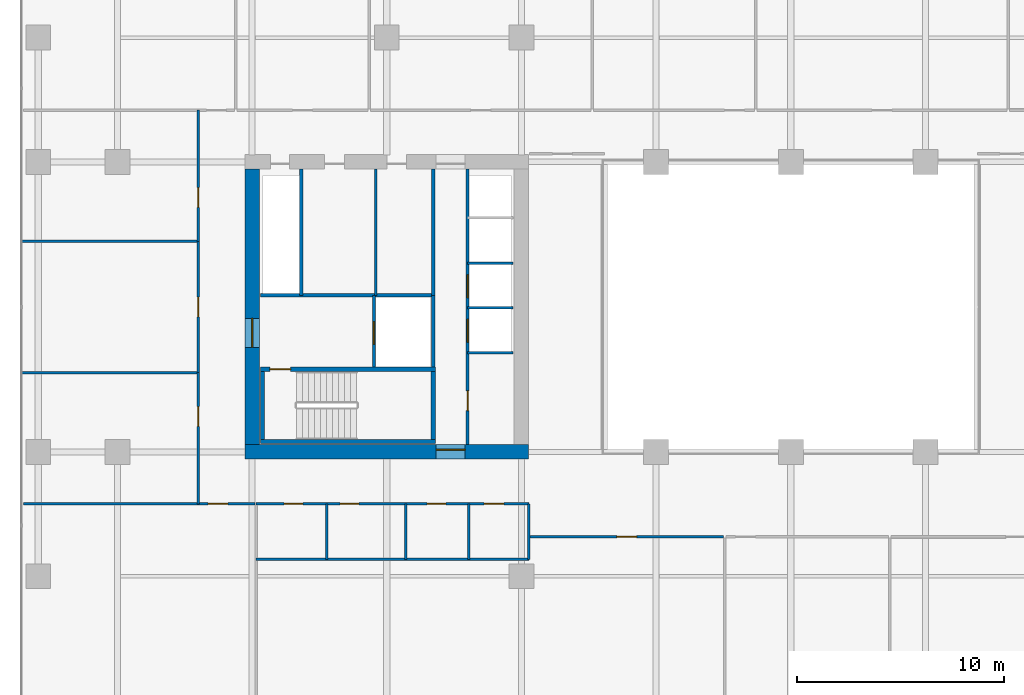
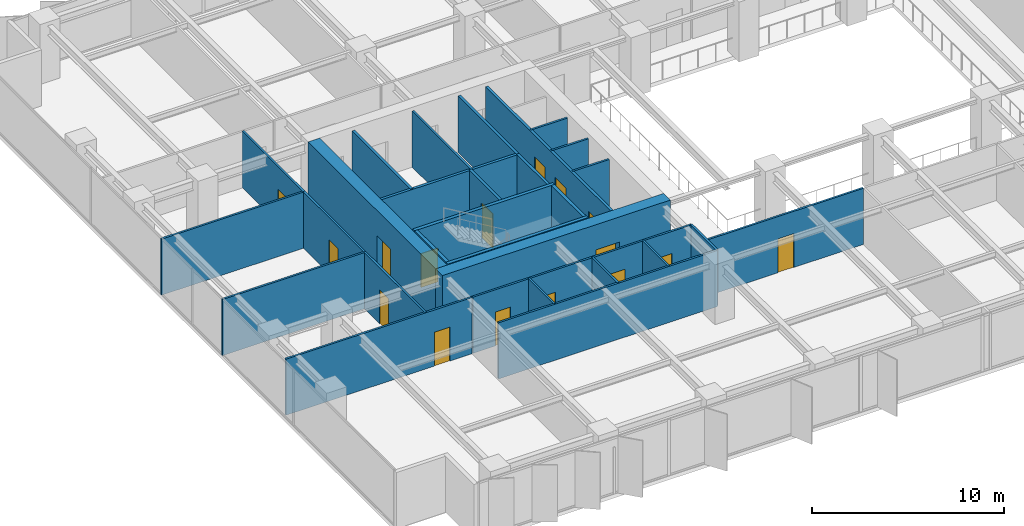
# One storey, part 13 of 20: 29 walls, 16 doors, 16 openings.
"""IFC4 building model written with IfcOpenShell, lengths in metres."""

from ifc_helpers import new_model, si_unit, direction, frame, frame_2d, origin, place, context, subcontext, project, spatial, rectangle, extrude, material, layer, layer_set, type_object, element, fill, save


model = new_model("IFC4")

# Units and contexts
model_context = context("Model", 3, precision=1e-05, world=origin(), true_north=direction((0.0, 1.0)))
body_context = subcontext(model_context, "Body", "Model", "MODEL_VIEW")
ifc_project = project(units=[si_unit("LENGTHUNIT", "METRE"), si_unit("AREAUNIT", "SQUARE_METRE"), si_unit("VOLUMEUNIT", "CUBIC_METRE"), si_unit("PLANEANGLEUNIT", "RADIAN"), si_unit("MASSUNIT", "GRAM", prefix="KILO")], contexts=[model_context])

# Site, building, storey
site_placement = place(None, origin())
site = spatial("IfcSite", under=ifc_project, at=site_placement, CompositionType="ELEMENT")
building_placement = place(site_placement, origin())
building = spatial("IfcBuilding", under=site, at=building_placement, Name="Putna Gate Headquarters", CompositionType="ELEMENT")
storey_placement = place(building_placement, frame((0.0, 0.0, 124.0)))
storey = spatial("IfcBuildingStorey", under=building, at=storey_placement, Name="L30", CompositionType="ELEMENT", Elevation=124.0)

# Wall, opening, door
ifc_material_1 = material(Name="Concrete C60/75", Category="concrete")
ifc_layer_1 = layer(ifc_material_1, 0.699951171875)
ifc_layer_set_1 = layer_set([ifc_layer_1], Name="Concrete C60/75")
wall_type_1 = type_object("IfcWallType", Name="WALL-CORE-700", PredefinedType="SHEAR", material=ifc_layer_set_1)
wall_1_placement = place(storey_placement, frame((12.64990234375, 19.0, 0.0), z_axis=(0.0, 0.0, 1.0), x_axis=(1.0, 0.0, 0.0)))
wall_1 = element("IfcWall", 1, at=wall_1_placement, inside=storey, type_object=wall_type_1, Name="L30 WC Split Core Shear Wall S", PredefinedType="SHEAR", context=body_context, shape_type="SweptSolid", body=[
    extrude(rectangle(XDim=13.7001953125, YDim=0.699951171875, at=frame_2d((6.85009765625, 0.0))), origin(), (0.0, 0.0, 1.0), 3.800048828125),
])
opening_1_placement = place(wall_1_placement, frame((9.22998046875, 0.0, 0.0)))
opening_1 = element("IfcOpeningElement", 2, at=opening_1_placement, cuts=wall_1, Name="Opening FDD-140", PredefinedType="OPENING", context=body_context, shape_type="SweptSolid", body=[
    extrude(rectangle(XDim=1.39990234375, YDim=2.199951171875, at=frame_2d((0.699951171875, 1.10009765625))), frame((0.0, 0.35986328125, 0.0), z_axis=(0.0, -1.0, 0.0), x_axis=(1.0, 0.0, 0.0)), (0.0, 0.0, 1.0), 0.719970703125),
])
ifc_material_2 = material(Name="Double steel fire door", Category="steel")
door_type_1 = type_object("IfcDoorType", Name="DOOR-FIRE-DBL-1400", OperationType="DOUBLE_DOOR_SINGLE_SWING", PredefinedType="DOOR", material=ifc_material_2)
door_1_placement = place(opening_1_placement, origin())
door_1 = element("IfcDoor", 3, at=door_1_placement, inside=storey, type_object=door_type_1, Name="L30 West Lift Lobby South Door", OperationType="DOUBLE_DOOR_SINGLE_SWING", OverallHeight=2.199951171875, OverallWidth=1.39990234375, PredefinedType="DOOR", context=body_context, shape_type="SweptSolid", body=[
    extrude(rectangle(XDim=1.39990234375, YDim=2.199951171875, at=frame_2d((0.699951171875, 1.10009765625))), frame((0.0, 0.125, 0.0), z_axis=(0.0, -1.0, 0.0), x_axis=(1.0, 0.0, 0.0)), (0.0, 0.0, 1.0), 0.050048828125),
])
fill(opening_1, door_1)

wall_2_placement = place(storey_placement, frame((13.0, 19.35009765625, 0.0), z_axis=(0.0, 0.0, 1.0), x_axis=(0.0, 1.0, 0.0)))
wall_2 = element("IfcWall", 4, at=wall_2_placement, inside=storey, type_object=wall_type_1, Name="L30 WC Split Core Shear Wall W", PredefinedType="SHEAR", context=body_context, shape_type="SweptSolid", body=[
    extrude(rectangle(XDim=13.2998046875, YDim=0.699951171875, at=frame_2d((6.64990234375, 0.0))), origin(), (0.0, 0.0, 1.0), 3.800048828125),
])
opening_2_placement = place(wall_2_placement, frame((4.699951171875, 0.0, 0.0)))
opening_2 = element("IfcOpeningElement", 5, at=opening_2_placement, cuts=wall_2, Name="Opening FDD-140", PredefinedType="OPENING", context=body_context, shape_type="SweptSolid", body=[
    extrude(rectangle(XDim=1.39990234375, YDim=2.199951171875, at=frame_2d((0.699951171875, 1.10009765625))), frame((0.0, 0.35986328125, 0.0), z_axis=(0.0, -1.0, 0.0), x_axis=(1.0, 0.0, 0.0)), (0.0, 0.0, 1.0), 0.719970703125),
])
door_2_placement = place(opening_2_placement, origin())
door_2 = element("IfcDoor", 6, at=door_2_placement, inside=storey, type_object=door_type_1, Name="L30 West Firefighting Lobby Door", OperationType="DOUBLE_DOOR_SINGLE_SWING", OverallHeight=2.199951171875, OverallWidth=1.39990234375, PredefinedType="DOOR", context=body_context, shape_type="SweptSolid", body=[
    extrude(rectangle(XDim=1.39990234375, YDim=2.199951171875, at=frame_2d((0.699951171875, 1.10009765625))), frame((0.0, 0.02490234375, 0.0), z_axis=(0.0, -1.0, 0.0), x_axis=(1.0, 0.0, 0.0)), (0.0, 0.0, 1.0), 0.050048828125),
])
fill(opening_2, door_2)

# Walls
ifc_material_3 = material(Name="Acoustic gypsum board on metal stud")
ifc_layer_2 = layer(ifc_material_3, 0.1201171875)
ifc_layer_set_2 = layer_set([ifc_layer_2], Name="Acoustic gypsum board on metal stud")
wall_type_2 = type_object("IfcWallType", Name="WALL-PART-120", PredefinedType="PARTITIONING", material=ifc_layer_set_2)
for number, where, z_axis, x_axis, name in (
    (7, (1.820068359375, 22.833251953125, 0.0), (0.0, 0.0, 1.0), (1.0, 0.0, 0.0), "L30 Interior Wall PART-L30-WW-DIV-1"),
    (8, (1.820068359375, 29.166748046875, 0.0), (0.0, 0.0, 1.0), (1.0, 0.0, 0.0), "L30 Interior Wall PART-L30-WW-DIV-2"),
):
    element("IfcWall", number, at=place(storey_placement, frame(where, z_axis=z_axis, x_axis=x_axis)), inside=storey, type_object=wall_type_2, Name=name, PredefinedType="PARTITIONING", context=body_context, shape_type="SweptSolid", body=[
        extrude(rectangle(XDim=8.579833984375, YDim=0.1201171875, at=frame_2d((4.2900390625, 0.0))), origin(), (0.0, 0.0, 1.0), 3.56494140625),
    ])
ifc_material_4 = material(Name="Fire-rated shaftwall gypsum board on metal stud")
ifc_layer_3 = layer(ifc_material_4, 0.1201171875)
ifc_layer_set_3 = layer_set([ifc_layer_3], Name="Fire-rated shaftwall gypsum board on metal stud")
wall_type_3 = type_object("IfcWallType", Name="WALL-PART-120-EI120", PredefinedType="PARTITIONING", material=ifc_layer_set_3)
for number, where, z_axis, x_axis, name in (
    (9, (23.39990234375, 25.949951171875, 0.0), (0.0, 0.0, 1.0), (1.0, 0.0, 0.0), "L30 Interior Wall CWINT-L30-WC-LF05-DIV"),
    (10, (23.39990234375, 28.1201171875, 0.0), (0.0, 0.0, 1.0), (1.0, 0.0, 0.0), "L30 Interior Wall CWINT-L30-WC-LF06-DIV"),
):
    element("IfcWall", number, at=place(storey_placement, frame(where, z_axis=z_axis, x_axis=x_axis)), inside=storey, type_object=wall_type_3, Name=name, PredefinedType="PARTITIONING", context=body_context, shape_type="SweptSolid", body=[
        extrude(rectangle(XDim=2.2001953125, YDim=0.1201171875, at=frame_2d((1.10009765625, 0.0))), origin(), (0.0, 0.0, 1.0), 3.56494140625),
    ])
ifc_material_5 = material(Name="Fire-rated gypsum board on metal stud")
ifc_layer_4 = layer(ifc_material_5, 0.1201171875)
ifc_layer_set_4 = layer_set([ifc_layer_4], Name="Fire-rated gypsum board on metal stud")
wall_type_4 = type_object("IfcWallType", Name="WALL-PART-120-RATED", PredefinedType="PARTITIONING", material=ifc_layer_set_4)
wall_3_placement = place(storey_placement, frame((18.969970703125, 26.56005859375, 0.0), z_axis=(0.0, 0.0, 1.0), x_axis=(0.0, 1.0, 0.0)))
element("IfcWall", 11, at=wall_3_placement, inside=storey, type_object=wall_type_4, Name="L30 Interior Wall CWINT-L30-WC-K0-DIV", PredefinedType="PARTITIONING", context=body_context, shape_type="SweptSolid", body=[
    extrude(rectangle(XDim=6.08984375, YDim=0.1201171875, at=frame_2d((3.044921875, 0.0))), origin(), (0.0, 0.0, 1.0), 3.56494140625),
])
wall_4_placement = place(storey_placement, frame((23.39990234375, 23.780029296875, 0.0), z_axis=(0.0, 0.0, 1.0), x_axis=(1.0, 0.0, 0.0)))
element("IfcWall", 12, at=wall_4_placement, inside=storey, type_object=wall_type_4, Name="L30 Interior Wall CWINT-L30-WC-LF02-DIV", PredefinedType="PARTITIONING", context=body_context, shape_type="SweptSolid", body=[
    extrude(rectangle(XDim=2.2001953125, YDim=0.1201171875, at=frame_2d((1.10009765625, 0.0))), origin(), (0.0, 0.0, 1.0), 3.56494140625),
])

# Wall, openings, doors
wall_5_placement = place(storey_placement, frame((13.199951171875, 16.5, 0.0), z_axis=(0.0, 0.0, 1.0), x_axis=(1.0, 0.0, 0.0)))
wall_5 = element("IfcWall", 13, at=wall_5_placement, inside=storey, type_object=wall_type_4, Name="L30 Interior Wall PART-L30-SAN-CW", PredefinedType="PARTITIONING", context=body_context, shape_type="SweptSolid", body=[
    extrude(rectangle(XDim=13.16015625, YDim=0.1201171875, at=frame_2d((6.580078125, 0.0))), origin(), (0.0, 0.0, 1.0), 3.56494140625),
])
opening_3_placement = place(wall_5_placement, frame((1.35009765625, 0.0, 0.0)))
opening_3 = element("IfcOpeningElement", 14, at=opening_3_placement, cuts=wall_5, Name="Opening FD-90", PredefinedType="OPENING", context=body_context, shape_type="SweptSolid", body=[
    extrude(rectangle(XDim=0.89990234375, YDim=2.14990234375, at=frame_2d((0.449951171875, 1.074951171875))), frame((0.0, 0.070068359375, 0.0), z_axis=(0.0, -1.0, 0.0), x_axis=(1.0, 0.0, 0.0)), (0.0, 0.0, 1.0), 0.14013671875),
])
opening_4_placement = place(wall_5_placement, frame((4.050048828125, 0.0, 0.0)))
opening_4 = element("IfcOpeningElement", 15, at=opening_4_placement, cuts=wall_5, Name="Opening FD-90", PredefinedType="OPENING", context=body_context, shape_type="SweptSolid", body=[
    extrude(rectangle(XDim=0.89990234375, YDim=2.14990234375, at=frame_2d((0.449951171875, 1.074951171875))), frame((0.0, 0.070068359375, 0.0), z_axis=(0.0, -1.0, 0.0), x_axis=(1.0, 0.0, 0.0)), (0.0, 0.0, 1.0), 0.14013671875),
])
opening_5_placement = place(wall_5_placement, frame((8.25, 0.0, 0.0)))
opening_5 = element("IfcOpeningElement", 16, at=opening_5_placement, cuts=wall_5, Name="Opening FD-90", PredefinedType="OPENING", context=body_context, shape_type="SweptSolid", body=[
    extrude(rectangle(XDim=0.89990234375, YDim=2.14990234375, at=frame_2d((0.449951171875, 1.074951171875))), frame((0.0, 0.070068359375, 0.0), z_axis=(0.0, -1.0, 0.0), x_axis=(1.0, 0.0, 0.0)), (0.0, 0.0, 1.0), 0.14013671875),
])
opening_6_placement = place(wall_5_placement, frame((11.0, 0.0, 0.0)))
opening_6 = element("IfcOpeningElement", 17, at=opening_6_placement, cuts=wall_5, Name="Opening FD-95", PredefinedType="OPENING", context=body_context, shape_type="SweptSolid", body=[
    extrude(rectangle(XDim=0.949951171875, YDim=2.14990234375, at=frame_2d((0.47509765625, 1.074951171875))), frame((0.0, 0.070068359375, 0.0), z_axis=(0.0, -1.0, 0.0), x_axis=(1.0, 0.0, 0.0)), (0.0, 0.0, 1.0), 0.14013671875),
])
ifc_material_6 = material(Name="Acoustic washroom fire door")
door_type_2 = type_object("IfcDoorType", Name="DOOR-FIRE-900", OperationType="NOTDEFINED", PredefinedType="DOOR", material=ifc_material_6)
door_3_placement = place(opening_3_placement, origin())
door_3 = element("IfcDoor", 18, at=door_3_placement, inside=storey, type_object=door_type_2, Name="L30 Washroom Male Door", OperationType="SINGLE_SWING_LEFT", OverallHeight=2.14990234375, OverallWidth=0.89990234375, PredefinedType="DOOR", context=body_context, shape_type="SweptSolid", body=[
    extrude(rectangle(XDim=0.89990234375, YDim=2.14990234375, at=frame_2d((0.449951171875, 1.074951171875))), frame((0.0, 0.02490234375, 0.0), z_axis=(0.0, -1.0, 0.0), x_axis=(1.0, 0.0, 0.0)), (0.0, 0.0, 1.0), 0.050048828125),
])
fill(opening_3, door_3)
door_4_placement = place(opening_4_placement, origin())
door_4 = element("IfcDoor", 19, at=door_4_placement, inside=storey, type_object=door_type_2, Name="L30 Washroom Female Door", OperationType="SINGLE_SWING_RIGHT", OverallHeight=2.14990234375, OverallWidth=0.89990234375, PredefinedType="DOOR", context=body_context, shape_type="SweptSolid", body=[
    extrude(rectangle(XDim=0.89990234375, YDim=2.14990234375, at=frame_2d((0.449951171875, 1.074951171875))), frame((0.0, 0.02490234375, 0.0), z_axis=(0.0, -1.0, 0.0), x_axis=(1.0, 0.0, 0.0)), (0.0, 0.0, 1.0), 0.050048828125),
])
fill(opening_4, door_4)
door_5_placement = place(opening_5_placement, origin())
door_5 = element("IfcDoor", 20, at=door_5_placement, inside=storey, type_object=door_type_2, Name="L30 Accessible WC Door", OperationType="SINGLE_SWING_LEFT", OverallHeight=2.14990234375, OverallWidth=0.89990234375, PredefinedType="DOOR", context=body_context, shape_type="SweptSolid", body=[
    extrude(rectangle(XDim=0.89990234375, YDim=2.14990234375, at=frame_2d((0.449951171875, 1.074951171875))), frame((0.0, 0.02490234375, 0.0), z_axis=(0.0, -1.0, 0.0), x_axis=(1.0, 0.0, 0.0)), (0.0, 0.0, 1.0), 0.050048828125),
])
fill(opening_5, door_5)
ifc_material_7 = material(Name="Acoustic timber fire door", Category="wood")
door_type_3 = type_object("IfcDoorType", Name="DOOR-FIRE-950", OperationType="NOTDEFINED", PredefinedType="DOOR", material=ifc_material_7)
door_6_placement = place(opening_6_placement, origin())
door_6 = element("IfcDoor", 21, at=door_6_placement, inside=storey, type_object=door_type_3, Name="L30 Staff Pantry and Tea Point Door", OperationType="SINGLE_SWING_RIGHT", OverallHeight=2.14990234375, OverallWidth=0.949951171875, PredefinedType="DOOR", context=body_context, shape_type="SweptSolid", body=[
    extrude(rectangle(XDim=0.949951171875, YDim=2.14990234375, at=frame_2d((0.47509765625, 1.074951171875))), frame((0.0, 0.02490234375, 0.0), z_axis=(0.0, -1.0, 0.0), x_axis=(1.0, 0.0, 0.0)), (0.0, 0.0, 1.0), 0.050048828125),
])
fill(opening_6, door_6)

# Walls
wall_6_placement = place(storey_placement, frame((13.199951171875, 13.820068359375, 0.0), z_axis=(0.0, 0.0, 1.0), x_axis=(1.0, 0.0, 0.0)))
element("IfcWall", 22, at=wall_6_placement, inside=storey, type_object=wall_type_4, Name="L30 Interior Wall PART-L30-SAN-BACK", PredefinedType="PARTITIONING", context=body_context, shape_type="SweptSolid", body=[
    extrude(rectangle(XDim=13.16015625, YDim=0.1201171875, at=frame_2d((6.580078125, 0.0))), origin(), (0.0, 0.0, 1.0), 3.56494140625),
])
for number, where, z_axis, x_axis, name in (
    (23, (16.60009765625, 13.820068359375, 0.0), (0.0, 0.0, 1.0), (0.0, 1.0, 0.0), "L30 Interior Wall PART-L30-SAN-DIV-1"),
    (24, (20.419921875, 13.820068359375, 0.0), (0.0, 0.0, 1.0), (0.0, 1.0, 0.0), "L30 Interior Wall PART-L30-SAN-DIV-2"),
    (25, (23.4599609375, 13.820068359375, 0.0), (0.0, 0.0, 1.0), (0.0, 1.0, 0.0), "L30 Interior Wall PART-L30-SAN-DIV-3"),
    (26, (26.360107421875, 13.820068359375, 0.0), (0.0, 0.0, 1.0), (0.0, 1.0, 0.0), "L30 Interior Wall PART-L30-SAN-DIV-4"),
):
    element("IfcWall", number, at=place(storey_placement, frame(where, z_axis=z_axis, x_axis=x_axis)), inside=storey, type_object=wall_type_4, Name=name, PredefinedType="PARTITIONING", context=body_context, shape_type="SweptSolid", body=[
        extrude(rectangle(XDim=2.679931640625, YDim=0.1201171875, at=frame_2d((1.33984375, 0.0))), origin(), (0.0, 0.0, 1.0), 3.56494140625),
    ])

# Wall, opening, door
wall_7_placement = place(storey_placement, frame((1.97998046875, 16.5, 0.0), z_axis=(0.0, 0.0, 1.0), x_axis=(1.0, 0.0, 0.0)))
wall_7 = element("IfcWall", 27, at=wall_7_placement, inside=storey, type_object=wall_type_4, Name="L30 Interior Wall PART-L30-SB-CW-01", PredefinedType="PARTITIONING", context=body_context, shape_type="SweptSolid", body=[
    extrude(rectangle(XDim=11.159912109375, YDim=0.1201171875, at=frame_2d((5.580078125, 0.0))), origin(), (0.0, 0.0, 1.0), 3.56494140625),
])
opening_7_placement = place(wall_7_placement, frame((8.89990234375, 0.0, 0.0)))
opening_7 = element("IfcOpeningElement", 28, at=opening_7_placement, cuts=wall_7, Name="Opening FD-95", PredefinedType="OPENING", context=body_context, shape_type="SweptSolid", body=[
    extrude(rectangle(XDim=0.949951171875, YDim=2.14990234375, at=frame_2d((0.47509765625, 1.074951171875))), frame((0.0, 0.070068359375, 0.0), z_axis=(0.0, -1.0, 0.0), x_axis=(1.0, 0.0, 0.0)), (0.0, 0.0, 1.0), 0.14013671875),
])
door_7_placement = place(opening_7_placement, origin())
door_7 = element("IfcDoor", 29, at=door_7_placement, inside=storey, type_object=door_type_3, Name="L30 Cellular Office 1 Door", OperationType="SINGLE_SWING_LEFT", OverallHeight=2.14990234375, OverallWidth=0.949951171875, PredefinedType="DOOR", context=body_context, shape_type="SweptSolid", body=[
    extrude(rectangle(XDim=0.949951171875, YDim=2.14990234375, at=frame_2d((0.47509765625, 1.074951171875))), frame((0.0, 0.02490234375, 0.0), z_axis=(0.0, -1.0, 0.0), x_axis=(1.0, 0.0, 0.0)), (0.0, 0.0, 1.0), 0.050048828125),
])
fill(opening_7, door_7)

wall_8_placement = place(storey_placement, frame((26.419921875, 14.89990234375, 0.0), z_axis=(0.0, 0.0, 1.0), x_axis=(1.0, 0.0, 0.0)))
wall_8 = element("IfcWall", 30, at=wall_8_placement, inside=storey, type_object=wall_type_4, Name="L30 Interior Wall PART-L30-SB-CW-02", PredefinedType="PARTITIONING", context=body_context, shape_type="SweptSolid", body=[
    extrude(rectangle(XDim=9.320068359375, YDim=0.1201171875, at=frame_2d((4.66015625, 0.0))), origin(), (0.0, 0.0, 1.0), 3.56494140625),
])
opening_8_placement = place(wall_8_placement, frame((4.18505859375, 0.0, 0.0)))
opening_8 = element("IfcOpeningElement", 31, at=opening_8_placement, cuts=wall_8, Name="Opening FD-95", PredefinedType="OPENING", context=body_context, shape_type="SweptSolid", body=[
    extrude(rectangle(XDim=0.949951171875, YDim=2.14990234375, at=frame_2d((0.47509765625, 1.074951171875))), frame((0.0, 0.070068359375, 0.0), z_axis=(0.0, -1.0, 0.0), x_axis=(1.0, 0.0, 0.0)), (0.0, 0.0, 1.0), 0.14013671875),
])
door_8_placement = place(opening_8_placement, origin())
door_8 = element("IfcDoor", 32, at=door_8_placement, inside=storey, type_object=door_type_3, Name="L30 Primary Open Office Workplace Door", OperationType="SINGLE_SWING_RIGHT", OverallHeight=2.14990234375, OverallWidth=0.949951171875, PredefinedType="DOOR", context=body_context, shape_type="SweptSolid", body=[
    extrude(rectangle(XDim=0.949951171875, YDim=2.14990234375, at=frame_2d((0.47509765625, 1.074951171875))), frame((0.0, 0.02490234375, 0.0), z_axis=(0.0, -1.0, 0.0), x_axis=(1.0, 0.0, 0.0)), (0.0, 0.0, 1.0), 0.050048828125),
])
fill(opening_8, door_8)

wall_9_placement = place(storey_placement, frame((10.39990234375, 16.5, 0.0), z_axis=(0.0, 0.0, 1.0), x_axis=(0.0, 1.0, 0.0)))
wall_9 = element("IfcWall", 33, at=wall_9_placement, inside=storey, type_object=wall_type_4, Name="L30 Interior Wall PART-L30-WW-CW-1", PredefinedType="PARTITIONING", context=body_context, shape_type="SweptSolid", body=[
    extrude(rectangle(XDim=6.333251953125, YDim=0.1201171875, at=frame_2d((3.16650390625, 0.0))), origin(), (0.0, 0.0, 1.0), 3.56494140625),
])
opening_9_placement = place(wall_9_placement, frame((3.74169921875, 0.0, 0.0)))
opening_9 = element("IfcOpeningElement", 34, at=opening_9_placement, cuts=wall_9, Name="Opening FD-95", PredefinedType="OPENING", context=body_context, shape_type="SweptSolid", body=[
    extrude(rectangle(XDim=0.949951171875, YDim=2.14990234375, at=frame_2d((0.47509765625, 1.074951171875))), frame((0.0, 0.070068359375, 0.0), z_axis=(0.0, -1.0, 0.0), x_axis=(1.0, 0.0, 0.0)), (0.0, 0.0, 1.0), 0.14013671875),
])
door_9_placement = place(opening_9_placement, origin())
door_9 = element("IfcDoor", 35, at=door_9_placement, inside=storey, type_object=door_type_3, Name="L30 West Project Meeting Room 1 Door", OperationType="SINGLE_SWING_LEFT", OverallHeight=2.14990234375, OverallWidth=0.949951171875, PredefinedType="DOOR", context=body_context, shape_type="SweptSolid", body=[
    extrude(rectangle(XDim=0.949951171875, YDim=2.14990234375, at=frame_2d((0.47509765625, 1.074951171875))), frame((0.0, 0.02490234375, 0.0), z_axis=(0.0, -1.0, 0.0), x_axis=(1.0, 0.0, 0.0)), (0.0, 0.0, 1.0), 0.050048828125),
])
fill(opening_9, door_9)

wall_10_placement = place(storey_placement, frame((10.39990234375, 22.833251953125, 0.0), z_axis=(0.0, 0.0, 1.0), x_axis=(0.0, 1.0, 0.0)))
wall_10 = element("IfcWall", 36, at=wall_10_placement, inside=storey, type_object=wall_type_4, Name="L30 Interior Wall PART-L30-WW-CW-2", PredefinedType="PARTITIONING", context=body_context, shape_type="SweptSolid", body=[
    extrude(rectangle(XDim=6.33349609375, YDim=0.1201171875, at=frame_2d((3.166748046875, 0.0))), origin(), (0.0, 0.0, 1.0), 3.56494140625),
])
opening_10_placement = place(wall_10_placement, frame((2.691650390625, 0.0, 0.0)))
opening_10 = element("IfcOpeningElement", 37, at=opening_10_placement, cuts=wall_10, Name="Opening FD-95", PredefinedType="OPENING", context=body_context, shape_type="SweptSolid", body=[
    extrude(rectangle(XDim=0.949951171875, YDim=2.14990234375, at=frame_2d((0.47509765625, 1.074951171875))), frame((0.0, 0.070068359375, 0.0), z_axis=(0.0, -1.0, 0.0), x_axis=(1.0, 0.0, 0.0)), (0.0, 0.0, 1.0), 0.14013671875),
])
door_10_placement = place(opening_10_placement, origin())
door_10 = element("IfcDoor", 38, at=door_10_placement, inside=storey, type_object=door_type_3, Name="L30 West Project Meeting Room 2 Door", OperationType="SINGLE_SWING_RIGHT", OverallHeight=2.14990234375, OverallWidth=0.949951171875, PredefinedType="DOOR", context=body_context, shape_type="SweptSolid", body=[
    extrude(rectangle(XDim=0.949951171875, YDim=2.14990234375, at=frame_2d((0.47509765625, 1.074951171875))), frame((0.0, 0.02490234375, 0.0), z_axis=(0.0, -1.0, 0.0), x_axis=(1.0, 0.0, 0.0)), (0.0, 0.0, 1.0), 0.050048828125),
])
fill(opening_10, door_10)

wall_11_placement = place(storey_placement, frame((10.39990234375, 29.166748046875, 0.0), z_axis=(0.0, 0.0, 1.0), x_axis=(0.0, 1.0, 0.0)))
wall_11 = element("IfcWall", 39, at=wall_11_placement, inside=storey, type_object=wall_type_4, Name="L30 Interior Wall PART-L30-WW-CW-3", PredefinedType="PARTITIONING", context=body_context, shape_type="SweptSolid", body=[
    extrude(rectangle(XDim=6.333251953125, YDim=0.1201171875, at=frame_2d((3.16650390625, 0.0))), origin(), (0.0, 0.0, 1.0), 3.56494140625),
])
opening_11_placement = place(wall_11_placement, frame((1.6416015625, 0.0, 0.0)))
opening_11 = element("IfcOpeningElement", 40, at=opening_11_placement, cuts=wall_11, Name="Opening FD-95", PredefinedType="OPENING", context=body_context, shape_type="SweptSolid", body=[
    extrude(rectangle(XDim=0.949951171875, YDim=2.14990234375, at=frame_2d((0.47509765625, 1.074951171875))), frame((0.0, 0.070068359375, 0.0), z_axis=(0.0, -1.0, 0.0), x_axis=(1.0, 0.0, 0.0)), (0.0, 0.0, 1.0), 0.14013671875),
])
door_11_placement = place(opening_11_placement, origin())
door_11 = element("IfcDoor", 41, at=door_11_placement, inside=storey, type_object=door_type_3, Name="L30 West Project Meeting Room 3 Door", OperationType="SINGLE_SWING_LEFT", OverallHeight=2.14990234375, OverallWidth=0.949951171875, PredefinedType="DOOR", context=body_context, shape_type="SweptSolid", body=[
    extrude(rectangle(XDim=0.949951171875, YDim=2.14990234375, at=frame_2d((0.47509765625, 1.074951171875))), frame((0.0, 0.02490234375, 0.0), z_axis=(0.0, -1.0, 0.0), x_axis=(1.0, 0.0, 0.0)), (0.0, 0.0, 1.0), 0.050048828125),
])
fill(opening_11, door_11)

# Wall
ifc_material_8 = material(Name="Concrete C40/50", Category="concrete")
ifc_layer_5 = layer(ifc_material_8, 0.159912109375)
ifc_layer_set_5 = layer_set([ifc_layer_5], Name="Concrete C40/50")
wall_type_5 = type_object("IfcWallType", Name="WALL-SHAFT-160", PredefinedType="STANDARD", material=ifc_layer_set_5)
wall_12_placement = place(storey_placement, frame((21.739990234375, 23.090087890625, 0.0), z_axis=(0.0, 0.0, 1.0), x_axis=(0.0, 1.0, 0.0)))
element("IfcWall", 42, at=wall_12_placement, inside=storey, type_object=wall_type_5, Name="L30 Interior Wall CWINT-L30-WC-FFL-E", PredefinedType="STANDARD", context=body_context, shape_type="SweptSolid", body=[
    extrude(rectangle(XDim=3.469970703125, YDim=0.159912109375, at=frame_2d((1.73486328125, 0.0))), origin(), (0.0, 0.0, 1.0), 3.56494140625),
])

# Wall, opening, door
wall_13_placement = place(storey_placement, frame((18.8798828125, 23.090087890625, 0.0), z_axis=(0.0, 0.0, 1.0), x_axis=(0.0, 1.0, 0.0)))
wall_13 = element("IfcWall", 43, at=wall_13_placement, inside=storey, type_object=wall_type_5, Name="L30 Interior Wall CWINT-L30-WC-LF13-W", PredefinedType="STANDARD", context=body_context, shape_type="SweptSolid", body=[
    extrude(rectangle(XDim=3.469970703125, YDim=0.159912109375, at=frame_2d((1.73486328125, 0.0))), origin(), (0.0, 0.0, 1.0), 3.56494140625),
])
opening_12_placement = place(wall_13_placement, frame((1.10009765625, 0.0, 0.0)))
opening_12 = element("IfcOpeningElement", 44, at=opening_12_placement, cuts=wall_13, Name="Opening LD-1", PredefinedType="OPENING", context=body_context, shape_type="SweptSolid", body=[
    extrude(rectangle(XDim=1.10009765625, YDim=2.199951171875, at=frame_2d((0.550048828125, 1.10009765625))), frame((0.0, 0.08984375, 0.0), z_axis=(0.0, -1.0, 0.0), x_axis=(1.0, 0.0, 0.0)), (0.0, 0.0, 1.0), 0.179931640625),
])
ifc_material_9 = material(Name="Brushed bronze stainless lift landing door")
door_type_4 = type_object("IfcDoorType", Name="DOOR-LIFT-1100", OperationType="DOUBLE_DOOR_SLIDING", PredefinedType="DOOR", material=ifc_material_9)
door_12_placement = place(opening_12_placement, origin())
door_12 = element("IfcDoor", 45, at=door_12_placement, inside=storey, type_object=door_type_4, Name="L30 Lift Landing Door LD-13", OperationType="DOUBLE_DOOR_SLIDING", OverallHeight=2.199951171875, OverallWidth=1.10009765625, PredefinedType="DOOR", context=body_context, shape_type="SweptSolid", body=[
    extrude(rectangle(XDim=1.10009765625, YDim=2.199951171875, at=frame_2d((0.550048828125, 1.10009765625))), frame((0.0, 0.02490234375, 0.0), z_axis=(0.0, -1.0, 0.0), x_axis=(1.0, 0.0, 0.0)), (0.0, 0.0, 1.0), 0.050048828125),
])
fill(opening_12, door_12)

# Walls
wall_14_placement = place(storey_placement, frame((13.39990234375, 26.56005859375, 0.0), z_axis=(0.0, 0.0, 1.0), x_axis=(1.0, 0.0, 0.0)))
element("IfcWall", 46, at=wall_14_placement, inside=storey, type_object=wall_type_5, Name="L30 Interior Wall CWINT-L30-WC-FFL-N", PredefinedType="STANDARD", context=body_context, shape_type="SweptSolid", body=[
    extrude(rectangle(XDim=8.340087890625, YDim=0.159912109375, at=frame_2d((4.169921875, 0.0))), origin(), (0.0, 0.0, 1.0), 3.56494140625),
])
for number, where, z_axis, x_axis, name in (
    (47, (15.3798828125, 26.56005859375, 0.0), (0.0, 0.0, 1.0), (0.0, 1.0, 0.0), "L30 Interior Wall CWINT-L30-WC-RISER-E"),
    (48, (21.739990234375, 26.56005859375, 0.0), (0.0, 0.0, 1.0), (0.0, 1.0, 0.0), "L30 Interior Wall CWINT-L30-WC-LOB-W"),
):
    element("IfcWall", number, at=place(storey_placement, frame(where, z_axis=z_axis, x_axis=x_axis)), inside=storey, type_object=wall_type_5, Name=name, PredefinedType="STANDARD", context=body_context, shape_type="SweptSolid", body=[
        extrude(rectangle(XDim=6.08984375, YDim=0.159912109375, at=frame_2d((3.044921875, 0.0))), origin(), (0.0, 0.0, 1.0), 3.56494140625),
    ])

# Wall, openings, doors
wall_15_placement = place(storey_placement, frame((23.39990234375, 19.35009765625, 0.0), z_axis=(0.0, 0.0, 1.0), x_axis=(0.0, 1.0, 0.0)))
wall_15 = element("IfcWall", 49, at=wall_15_placement, inside=storey, type_object=wall_type_5, Name="L30 Interior Wall CWINT-L30-WC-PL-WALL", PredefinedType="STANDARD", context=body_context, shape_type="SweptSolid", body=[
    extrude(rectangle(XDim=13.2998046875, YDim=0.159912109375, at=frame_2d((6.64990234375, 0.0))), origin(), (0.0, 0.0, 1.0), 3.56494140625),
])
opening_13_placement = place(wall_15_placement, frame((1.64990234375, 0.0, 0.0)))
opening_13 = element("IfcOpeningElement", 50, at=opening_13_placement, cuts=wall_15, Name="Opening IDS-95", PredefinedType="OPENING", context=body_context, shape_type="SweptSolid", body=[
    extrude(rectangle(XDim=0.949951171875, YDim=2.14990234375, at=frame_2d((0.47509765625, 1.074951171875))), frame((0.0, 0.08984375, 0.0), z_axis=(0.0, -1.0, 0.0), x_axis=(1.0, 0.0, 0.0)), (0.0, 0.0, 1.0), 0.179931640625),
])
opening_14_placement = place(wall_15_placement, frame((4.949951171875, 0.0, 0.0)))
opening_14 = element("IfcOpeningElement", 51, at=opening_14_placement, cuts=wall_15, Name="Opening LD-1", PredefinedType="OPENING", context=body_context, shape_type="SweptSolid", body=[
    extrude(rectangle(XDim=1.10009765625, YDim=2.199951171875, at=frame_2d((0.550048828125, 1.10009765625))), frame((0.0, 0.08984375, 0.0), z_axis=(0.0, -1.0, 0.0), x_axis=(1.0, 0.0, 0.0)), (0.0, 0.0, 1.0), 0.179931640625),
])
opening_15_placement = place(wall_15_placement, frame((7.10009765625, 0.0, 0.0)))
opening_15 = element("IfcOpeningElement", 52, at=opening_15_placement, cuts=wall_15, Name="Opening LD-1", PredefinedType="OPENING", context=body_context, shape_type="SweptSolid", body=[
    extrude(rectangle(XDim=1.10009765625, YDim=2.199951171875, at=frame_2d((0.550048828125, 1.10009765625))), frame((0.0, 0.08984375, 0.0), z_axis=(0.0, -1.0, 0.0), x_axis=(1.0, 0.0, 0.0)), (0.0, 0.0, 1.0), 0.179931640625),
])
ifc_material_10 = material(Name="Fire-rated service timber door", Category="wood")
door_type_5 = type_object("IfcDoorType", Name="DOOR-INT-950", OperationType="NOTDEFINED", PredefinedType="DOOR", material=ifc_material_10)
door_13_placement = place(opening_13_placement, origin())
door_13 = element("IfcDoor", 53, at=door_13_placement, inside=storey, type_object=door_type_5, Name="L30 Document Archive Door", OperationType="SINGLE_SWING_LEFT", OverallHeight=2.14990234375, OverallWidth=0.949951171875, PredefinedType="DOOR", context=body_context, shape_type="SweptSolid", body=[
    extrude(rectangle(XDim=0.949951171875, YDim=2.14990234375, at=frame_2d((0.47509765625, 1.074951171875))), frame((0.0, 0.02490234375, 0.0), z_axis=(0.0, -1.0, 0.0), x_axis=(1.0, 0.0, 0.0)), (0.0, 0.0, 1.0), 0.050048828125),
])
fill(opening_13, door_13)
door_14_placement = place(opening_14_placement, origin())
door_14 = element("IfcDoor", 54, at=door_14_placement, inside=storey, type_object=door_type_4, Name="L30 Lift Landing Door LD-05", OperationType="DOUBLE_DOOR_SLIDING", OverallHeight=2.199951171875, OverallWidth=1.10009765625, PredefinedType="DOOR", context=body_context, shape_type="SweptSolid", body=[
    extrude(rectangle(XDim=1.10009765625, YDim=2.199951171875, at=frame_2d((0.550048828125, 1.10009765625))), frame((0.0, 0.02490234375, 0.0), z_axis=(0.0, -1.0, 0.0), x_axis=(1.0, 0.0, 0.0)), (0.0, 0.0, 1.0), 0.050048828125),
])
fill(opening_14, door_14)
door_15_placement = place(opening_15_placement, origin())
door_15 = element("IfcDoor", 55, at=door_15_placement, inside=storey, type_object=door_type_4, Name="L30 Lift Landing Door LD-06", OperationType="DOUBLE_DOOR_SLIDING", OverallHeight=2.199951171875, OverallWidth=1.10009765625, PredefinedType="DOOR", context=body_context, shape_type="SweptSolid", body=[
    extrude(rectangle(XDim=1.10009765625, YDim=2.199951171875, at=frame_2d((0.550048828125, 1.10009765625))), frame((0.0, 0.02490234375, 0.0), z_axis=(0.0, -1.0, 0.0), x_axis=(1.0, 0.0, 0.0)), (0.0, 0.0, 1.0), 0.050048828125),
])
fill(opening_15, door_15)

# Wall
ifc_layer_6 = layer(ifc_material_8, 0.199951171875)
ifc_layer_set_6 = layer_set([ifc_layer_6], Name="Concrete C40/50")
wall_type_6 = type_object("IfcWallType", Name="WALL-SHAFT-RC200", PredefinedType="SHEAR", material=ifc_layer_set_6)
wall_16_placement = place(storey_placement, frame((13.409912109375, 19.510009765625, 0.0), z_axis=(0.0, 0.0, 1.0), x_axis=(1.0, 0.0, 0.0)))
element("IfcWall", 56, at=wall_16_placement, inside=storey, type_object=wall_type_6, Name="L30 Stair ST1 Structural Shaft Wall S", PredefinedType="SHEAR", context=body_context, shape_type="SweptSolid", body=[
    extrude(rectangle(XDim=8.43017578125, YDim=0.199951171875, at=frame_2d((4.215087890625, 0.0))), origin(), (0.0, 0.0, 1.0), 3.800048828125),
])

# Wall, opening, door
wall_17_placement = place(storey_placement, frame((13.409912109375, 22.989990234375, 0.0), z_axis=(0.0, 0.0, 1.0), x_axis=(1.0, 0.0, 0.0)))
wall_17 = element("IfcWall", 57, at=wall_17_placement, inside=storey, type_object=wall_type_6, Name="L30 Stair ST1 Structural Shaft Wall N", PredefinedType="SHEAR", context=body_context, shape_type="SweptSolid", body=[
    extrude(rectangle(XDim=8.43017578125, YDim=0.199951171875, at=frame_2d((4.215087890625, 0.0))), origin(), (0.0, 0.0, 1.0), 3.800048828125),
])
opening_16_placement = place(wall_17_placement, frame((0.449951171875, 0.0, 0.0)))
opening_16 = element("IfcOpeningElement", 58, at=opening_16_placement, cuts=wall_17, Name="Opening FD-100", PredefinedType="OPENING", context=body_context, shape_type="SweptSolid", body=[
    extrude(rectangle(XDim=1.0, YDim=2.14990234375, at=frame_2d((0.5, 1.074951171875))), frame((0.0, 0.10986328125, 0.0), z_axis=(0.0, -1.0, 0.0), x_axis=(1.0, 0.0, 0.0)), (0.0, 0.0, 1.0), 0.219970703125),
])
ifc_material_11 = material(Name="Powder-coated steel fire door", Category="steel")
door_type_6 = type_object("IfcDoorType", Name="DOOR-FIRE-1000", OperationType="NOTDEFINED", PredefinedType="DOOR", material=ifc_material_11)
door_16_placement = place(opening_16_placement, origin())
door_16 = element("IfcDoor", 59, at=door_16_placement, inside=storey, type_object=door_type_6, Name="L30 Stair ST1 Fire Door", OperationType="SINGLE_SWING_LEFT", OverallHeight=2.14990234375, OverallWidth=1.0, PredefinedType="DOOR", context=body_context, shape_type="SweptSolid", body=[
    extrude(rectangle(XDim=1.0, YDim=2.14990234375, at=frame_2d((0.5, 1.074951171875))), frame((0.0, 0.02490234375, 0.0), z_axis=(0.0, -1.0, 0.0), x_axis=(1.0, 0.0, 0.0)), (0.0, 0.0, 1.0), 0.050048828125),
])
fill(opening_16, door_16)

# Walls
for number, where, z_axis, x_axis, name in (
    (60, (13.510009765625, 19.610107421875, 0.0), (0.0, 0.0, 1.0), (0.0, 1.0, 0.0), "L30 Stair ST1 Structural Shaft Wall W"),
    (61, (21.739990234375, 19.610107421875, 0.0), (0.0, 0.0, 1.0), (0.0, 1.0, 0.0), "L30 Stair ST1 Structural Shaft Wall E"),
):
    element("IfcWall", number, at=place(storey_placement, frame(where, z_axis=z_axis, x_axis=x_axis)), inside=storey, type_object=wall_type_6, Name=name, PredefinedType="SHEAR", context=body_context, shape_type="SweptSolid", body=[
        extrude(rectangle(XDim=3.27978515625, YDim=0.199951171875, at=frame_2d((1.639892578125, 0.0))), origin(), (0.0, 0.0, 1.0), 3.800048828125),
    ])

save(model, "model.ifc")
